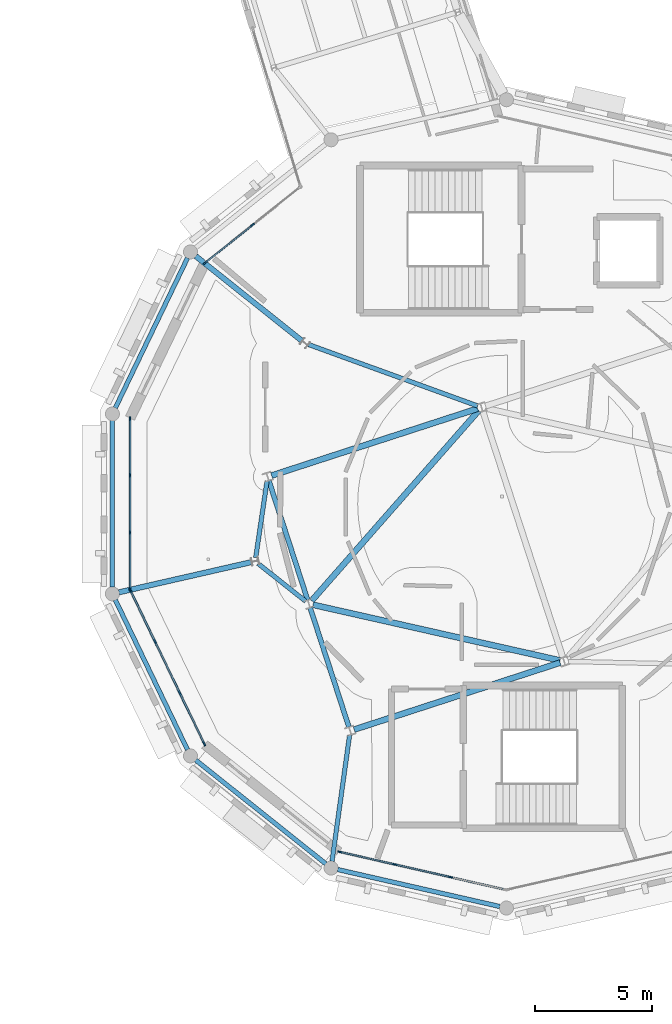
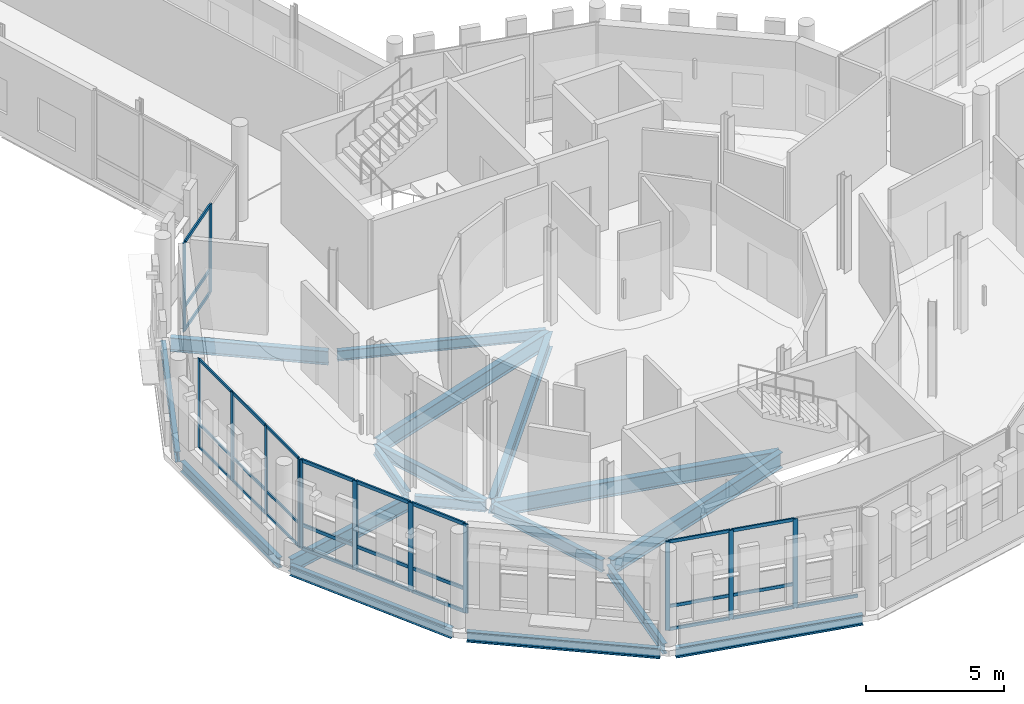
# One storey, part 27 of 125: 41 members, 17 beams, 4 elements without a shape of their own.
"""IFC4 building model written with IfcOpenShell, lengths in metres."""

from ifc_helpers import new_model, si_unit, direction, frame, origin, origin_2d, place, context, subcontext, project, spatial, rectangle, i_section, extrude, material, material_profile, profile_set, type_object, element, aggregate, save


model = new_model("IFC4")

# Units and contexts
model_context = context("Model", 3, precision=1e-05, world=origin(), true_north=direction((0.0, 1.0)))
body_context = subcontext(model_context, "Body", "Model", "MODEL_VIEW")
ifc_project = project(units=[si_unit("LENGTHUNIT", "METRE"), si_unit("AREAUNIT", "SQUARE_METRE"), si_unit("VOLUMEUNIT", "CUBIC_METRE"), si_unit("PLANEANGLEUNIT", "RADIAN"), si_unit("MASSUNIT", "GRAM", prefix="KILO")], contexts=[model_context])

# Site, building, storey
site_placement = place(None, origin())
site = spatial("IfcSite", under=ifc_project, at=site_placement, CompositionType="ELEMENT")
building_placement = place(site_placement, origin())
building = spatial("IfcBuilding", under=site, at=building_placement, Name="Wrenclough Park School", CompositionType="ELEMENT")
storey_placement = place(building_placement, frame((0.0, 0.0, 4.199951171875)))
storey = spatial("IfcBuildingStorey", under=building, at=storey_placement, Name="L01", CompositionType="ELEMENT", Elevation=4.199951171875)

# Curtain wall, members
ifc_material_1 = material(Name="Thermally broken aluminium and low-e glass curtain wall", Category="aluminium")
curtain_wall_type_1 = type_object("IfcCurtainWallType", Name="ENV-CW-08", PredefinedType="USERDEFINED", material=ifc_material_1)
curtain_wall_1_placement = place(storey_placement, origin())
curtain_wall_1 = element("IfcCurtainWall", 1, at=curtain_wall_1_placement, inside=storey, type_object=curtain_wall_type_1, Name="L01 recessed curtain wall assembly 087", ObjectType="CURTAIN WALL", PredefinedType="USERDEFINED")
ifc_material_2 = material(Name="Thermally broken anodised aluminium", Category="aluminium")
ifc_material_profile_1 = material_profile(ifc_material_2, rectangle(XDim=0.06005859375, YDim=0.159912109375, at=origin_2d()), Name="AL MULLION 60x160")
ifc_profile_set_1 = profile_set([ifc_material_profile_1], Name="Thermally broken anodised aluminium")
member_type_1 = type_object("IfcMemberType", Name="ENV-CWM-1", PredefinedType="MULLION", material=ifc_profile_set_1)
member_1_placement = place(storey_placement, frame((20.436279296875, 19.86767578125, 0.0), z_axis=(0.0, 0.0, 1.0), x_axis=(-1.0, 0.0, 0.0)))
member_1 = element("IfcMember", 2, at=member_1_placement, type_object=member_type_1, Name="CW-08 mullion 1", PredefinedType="MULLION", context=body_context, shape_type="SweptSolid", body=[
    extrude(rectangle(XDim=0.06005859375, YDim=0.159912109375, at=origin_2d()), origin(), (0.0, 0.0, 1.0), 3.93994140625),
])
member_2_placement = place(storey_placement, frame((20.436279296875, 22.279296875, 0.0), z_axis=(0.0, 0.0, 1.0), x_axis=(-1.0, 0.0, 0.0)))
member_2 = element("IfcMember", 3, at=member_2_placement, type_object=member_type_1, Name="CW-08 mullion 2", PredefinedType="MULLION", context=body_context, shape_type="SweptSolid", body=[
    extrude(rectangle(XDim=0.06005859375, YDim=0.159912109375, at=origin_2d()), origin(), (0.0, 0.0, 1.0), 3.93994140625),
])
member_3_placement = place(storey_placement, frame((20.436279296875, 24.720947265625, 0.0), z_axis=(0.0, 0.0, 1.0), x_axis=(-1.0, 0.0, 0.0)))
member_3 = element("IfcMember", 4, at=member_3_placement, type_object=member_type_1, Name="CW-08 mullion 3", PredefinedType="MULLION", context=body_context, shape_type="SweptSolid", body=[
    extrude(rectangle(XDim=0.06005859375, YDim=0.159912109375, at=origin_2d()), origin(), (0.0, 0.0, 1.0), 3.93994140625),
])
member_4_placement = place(storey_placement, frame((20.436279296875, 27.132568359375, 0.0), z_axis=(0.0, 0.0, 1.0), x_axis=(-1.0, 0.0, 0.0)))
member_4 = element("IfcMember", 5, at=member_4_placement, type_object=member_type_1, Name="CW-08 mullion 4", PredefinedType="MULLION", context=body_context, shape_type="SweptSolid", body=[
    extrude(rectangle(XDim=0.06005859375, YDim=0.159912109375, at=origin_2d()), origin(), (0.0, 0.0, 1.0), 3.93994140625),
])

curtain_wall_type_2 = type_object("IfcCurtainWallType", Name="ENV-CW-06", PredefinedType="USERDEFINED", material=ifc_material_1)
curtain_wall_2_placement = place(storey_placement, origin())
curtain_wall_2 = element("IfcCurtainWall", 6, at=curtain_wall_2_placement, inside=storey, type_object=curtain_wall_type_2, Name="L01 recessed curtain wall assembly 085", ObjectType="CURTAIN WALL", PredefinedType="USERDEFINED")
ifc_material_profile_2 = material_profile(ifc_material_2, rectangle(XDim=0.06494140625, YDim=0.179931640625, at=origin_2d()), Name="AL MULLION 65x180")
ifc_profile_set_2 = profile_set([ifc_material_profile_2], Name="Thermally broken anodised aluminium")
member_type_2 = type_object("IfcMemberType", Name="ENV-CWM-2", PredefinedType="MULLION", material=ifc_profile_set_2)
member_5_placement = place(storey_placement, frame((34.11572265625, 7.5673828125, 0.0), z_axis=(0.0, 0.0, 1.0), x_axis=(-0.222510819536, -0.974930220677, 0.0)))
member_5 = element("IfcMember", 7, at=member_5_placement, type_object=member_type_2, Name="CW-06 mullion 2", PredefinedType="MULLION", context=body_context, shape_type="SweptSolid", body=[
    extrude(rectangle(XDim=0.06494140625, YDim=0.179931640625, at=origin_2d()), origin(), (0.0, 0.0, 1.0), 3.93994140625),
])
member_6_placement = place(storey_placement, frame((31.735107421875, 8.110595703125, 0.0), z_axis=(0.0, 0.0, 1.0), x_axis=(-0.222510819536, -0.974930220677, 0.0)))
member_6 = element("IfcMember", 8, at=member_6_placement, type_object=member_type_2, Name="CW-06 mullion 3", PredefinedType="MULLION", context=body_context, shape_type="SweptSolid", body=[
    extrude(rectangle(XDim=0.06494140625, YDim=0.179931640625, at=origin_2d()), origin(), (0.0, 0.0, 1.0), 3.93994140625),
])
member_7_placement = place(storey_placement, frame((29.386474609375, 8.646728515625, 0.0), z_axis=(0.0, 0.0, 1.0), x_axis=(-0.222510819536, -0.974930220677, 0.0)))
member_7 = element("IfcMember", 9, at=member_7_placement, type_object=member_type_2, Name="CW-06 mullion 4", PredefinedType="MULLION", context=body_context, shape_type="SweptSolid", body=[
    extrude(rectangle(XDim=0.06494140625, YDim=0.179931640625, at=origin_2d()), origin(), (0.0, 0.0, 1.0), 3.93994140625),
])

curtain_wall_type_3 = type_object("IfcCurtainWallType", Name="ENV-CW-09", PredefinedType="USERDEFINED", material=ifc_material_1)
curtain_wall_3_placement = place(storey_placement, origin())
curtain_wall_3 = element("IfcCurtainWall", 10, at=curtain_wall_3_placement, inside=storey, type_object=curtain_wall_type_3, Name="L01 recessed curtain wall assembly 088", ObjectType="CURTAIN WALL", PredefinedType="USERDEFINED")
member_8_placement = place(storey_placement, frame((23.646484375, 33.796142578125, 0.0), z_axis=(0.0, 0.0, 1.0), x_axis=(-0.623468469558, 0.781848493934, 0.0)))
member_8 = element("IfcMember", 11, at=member_8_placement, type_object=member_type_2, Name="CW-09 mullion 1", PredefinedType="MULLION", context=body_context, shape_type="SweptSolid", body=[
    extrude(rectangle(XDim=0.06494140625, YDim=0.179931640625, at=origin_2d()), origin(), (0.0, 0.0, 1.0), 3.93994140625),
])
member_9_placement = place(storey_placement, frame((25.666748046875, 35.406982421875, 0.0), z_axis=(0.0, 0.0, 1.0), x_axis=(-0.623468469558, 0.781848493934, 0.0)))
member_9 = element("IfcMember", 12, at=member_9_placement, type_object=member_type_2, Name="CW-09 mullion 2", PredefinedType="MULLION", context=body_context, shape_type="SweptSolid", body=[
    extrude(rectangle(XDim=0.06494140625, YDim=0.179931640625, at=origin_2d()), origin(), (0.0, 0.0, 1.0), 3.93994140625),
])

curtain_wall_type_4 = type_object("IfcCurtainWallType", Name="ENV-CW-07", PredefinedType="USERDEFINED", material=ifc_material_1)
curtain_wall_4_placement = place(storey_placement, origin())
curtain_wall_4 = element("IfcCurtainWall", 13, at=curtain_wall_4_placement, inside=storey, type_object=curtain_wall_type_4, Name="L01 recessed curtain wall assembly 086", ObjectType="CURTAIN WALL", PredefinedType="USERDEFINED")
ifc_material_profile_3 = material_profile(ifc_material_2, rectangle(XDim=0.070068359375, YDim=0.199951171875, at=origin_2d()), Name="AL MULLION 70x200")
ifc_profile_set_3 = profile_set([ifc_material_profile_3], Name="Thermally broken anodised aluminium")
member_type_3 = type_object("IfcMemberType", Name="ENV-CWM-3", PredefinedType="MULLION", material=ifc_profile_set_3)
member_10_placement = place(storey_placement, frame((23.60107421875, 13.261962890625, 0.0), z_axis=(0.0, 0.0, 1.0), x_axis=(-0.900963523358, -0.433894837004, 0.0)))
member_10 = element("IfcMember", 14, at=member_10_placement, type_object=member_type_3, Name="CW-07 mullion 1", PredefinedType="MULLION", context=body_context, shape_type="SweptSolid", body=[
    extrude(rectangle(XDim=0.070068359375, YDim=0.199951171875, at=origin_2d()), origin(), (0.0, 0.0, 1.0), 3.93994140625),
])
member_11_placement = place(storey_placement, frame((22.556884765625, 15.43017578125, 0.0), z_axis=(0.0, 0.0, 1.0), x_axis=(-0.900963523358, -0.433894837004, 0.0)))
member_11 = element("IfcMember", 15, at=member_11_placement, type_object=member_type_3, Name="CW-07 mullion 2", PredefinedType="MULLION", context=body_context, shape_type="SweptSolid", body=[
    extrude(rectangle(XDim=0.070068359375, YDim=0.199951171875, at=origin_2d()), origin(), (0.0, 0.0, 1.0), 3.93994140625),
])
member_12_placement = place(storey_placement, frame((21.497314453125, 17.630126953125, 0.0), z_axis=(0.0, 0.0, 1.0), x_axis=(-0.900963523358, -0.433894837004, 0.0)))
member_12 = element("IfcMember", 16, at=member_12_placement, type_object=member_type_3, Name="CW-07 mullion 3", PredefinedType="MULLION", context=body_context, shape_type="SweptSolid", body=[
    extrude(rectangle(XDim=0.070068359375, YDim=0.199951171875, at=origin_2d()), origin(), (0.0, 0.0, 1.0), 3.93994140625),
])
member_13_placement = place(storey_placement, frame((20.453125, 19.798583984375, 0.0), z_axis=(0.0, 0.0, 1.0), x_axis=(-0.900963523358, -0.433894837004, 0.0)))
member_13 = element("IfcMember", 17, at=member_13_placement, type_object=member_type_3, Name="CW-07 mullion 4", PredefinedType="MULLION", context=body_context, shape_type="SweptSolid", body=[
    extrude(rectangle(XDim=0.070068359375, YDim=0.199951171875, at=origin_2d()), origin(), (0.0, 0.0, 1.0), 3.93994140625),
])

# Member
ifc_material_profile_4 = material_profile(ifc_material_2, rectangle(XDim=0.06005859375, YDim=0.1201171875, at=origin_2d()), Name="AL TRANSOM 60x120")
ifc_profile_set_4 = profile_set([ifc_material_profile_4], Name="Thermally broken anodised aluminium")
member_type_4 = type_object("IfcMemberType", Name="ENV-CWT-1", PredefinedType="USERDEFINED", material=ifc_profile_set_4)
member_14_placement = place(storey_placement, frame((20.436279296875, 19.897705078125, 0.030029296875), z_axis=(0.0, 1.0, 0.0), x_axis=(-1.0, 0.0, 0.0)))
member_14 = element("IfcMember", 18, at=member_14_placement, type_object=member_type_4, Name="CW-08 transom 1.1", ObjectType="TRANSOM", PredefinedType="USERDEFINED", context=body_context, shape_type="SweptSolid", body=[
    extrude(rectangle(XDim=0.06005859375, YDim=0.1201171875, at=origin_2d()), origin(), (0.0, 0.0, 1.0), 2.3515625),
])

member_15_placement = place(storey_placement, frame((20.436279296875, 19.897705078125, 1.050048828125), z_axis=(0.0, 1.0, 0.0), x_axis=(-1.0, 0.0, 0.0)))
member_15 = element("IfcMember", 19, at=member_15_placement, type_object=member_type_4, Name="CW-08 transom 1.2", ObjectType="TRANSOM", PredefinedType="USERDEFINED", context=body_context, shape_type="SweptSolid", body=[
    extrude(rectangle(XDim=0.06005859375, YDim=0.1201171875, at=origin_2d()), origin(), (0.0, 0.0, 1.0), 2.3515625),
])

member_16_placement = place(storey_placement, frame((20.436279296875, 19.897705078125, 3.91015625), z_axis=(0.0, 1.0, 0.0), x_axis=(-1.0, 0.0, 0.0)))
member_16 = element("IfcMember", 20, at=member_16_placement, type_object=member_type_4, Name="CW-08 transom 1.3", ObjectType="TRANSOM", PredefinedType="USERDEFINED", context=body_context, shape_type="SweptSolid", body=[
    extrude(rectangle(XDim=0.06005859375, YDim=0.1201171875, at=origin_2d()), origin(), (0.0, 0.0, 1.0), 2.3515625),
])

member_17_placement = place(storey_placement, frame((20.436279296875, 22.309326171875, 0.030029296875), z_axis=(0.0, 1.0, 0.0), x_axis=(-1.0, 0.0, 0.0)))
member_17 = element("IfcMember", 21, at=member_17_placement, type_object=member_type_4, Name="CW-08 transom 2.1", ObjectType="TRANSOM", PredefinedType="USERDEFINED", context=body_context, shape_type="SweptSolid", body=[
    extrude(rectangle(XDim=0.06005859375, YDim=0.1201171875, at=origin_2d()), origin(), (0.0, 0.0, 1.0), 2.381591796875),
])

member_18_placement = place(storey_placement, frame((20.436279296875, 22.309326171875, 1.050048828125), z_axis=(0.0, 1.0, 0.0), x_axis=(-1.0, 0.0, 0.0)))
member_18 = element("IfcMember", 22, at=member_18_placement, type_object=member_type_4, Name="CW-08 transom 2.2", ObjectType="TRANSOM", PredefinedType="USERDEFINED", context=body_context, shape_type="SweptSolid", body=[
    extrude(rectangle(XDim=0.06005859375, YDim=0.1201171875, at=origin_2d()), origin(), (0.0, 0.0, 1.0), 2.381591796875),
])

member_19_placement = place(storey_placement, frame((20.436279296875, 22.309326171875, 3.91015625), z_axis=(0.0, 1.0, 0.0), x_axis=(-1.0, 0.0, 0.0)))
member_19 = element("IfcMember", 23, at=member_19_placement, type_object=member_type_4, Name="CW-08 transom 2.3", ObjectType="TRANSOM", PredefinedType="USERDEFINED", context=body_context, shape_type="SweptSolid", body=[
    extrude(rectangle(XDim=0.06005859375, YDim=0.1201171875, at=origin_2d()), origin(), (0.0, 0.0, 1.0), 2.381591796875),
])

member_20_placement = place(storey_placement, frame((20.436279296875, 24.7509765625, 0.030029296875), z_axis=(0.0, 1.0, 0.0), x_axis=(-1.0, 0.0, 0.0)))
member_20 = element("IfcMember", 24, at=member_20_placement, type_object=member_type_4, Name="CW-08 transom 3.1", ObjectType="TRANSOM", PredefinedType="USERDEFINED", context=body_context, shape_type="SweptSolid", body=[
    extrude(rectangle(XDim=0.06005859375, YDim=0.1201171875, at=origin_2d()), origin(), (0.0, 0.0, 1.0), 2.3515625),
])

member_21_placement = place(storey_placement, frame((20.436279296875, 24.7509765625, 1.050048828125), z_axis=(0.0, 1.0, 0.0), x_axis=(-1.0, 0.0, 0.0)))
member_21 = element("IfcMember", 25, at=member_21_placement, type_object=member_type_4, Name="CW-08 transom 3.2", ObjectType="TRANSOM", PredefinedType="USERDEFINED", context=body_context, shape_type="SweptSolid", body=[
    extrude(rectangle(XDim=0.06005859375, YDim=0.1201171875, at=origin_2d()), origin(), (0.0, 0.0, 1.0), 2.3515625),
])

member_22_placement = place(storey_placement, frame((20.436279296875, 24.7509765625, 3.91015625), z_axis=(0.0, 1.0, 0.0), x_axis=(-1.0, 0.0, 0.0)))
member_22 = element("IfcMember", 26, at=member_22_placement, type_object=member_type_4, Name="CW-08 transom 3.3", ObjectType="TRANSOM", PredefinedType="USERDEFINED", context=body_context, shape_type="SweptSolid", body=[
    extrude(rectangle(XDim=0.06005859375, YDim=0.1201171875, at=origin_2d()), origin(), (0.0, 0.0, 1.0), 2.3515625),
])

aggregate(curtain_wall_1, [member_1, member_2, member_3, member_4, member_14, member_15, member_16, member_17, member_18, member_19, member_20, member_21, member_22])

ifc_material_profile_5 = material_profile(ifc_material_2, rectangle(XDim=0.06494140625, YDim=0.139892578125, at=origin_2d()), Name="AL TRANSOM 65x140")
ifc_profile_set_5 = profile_set([ifc_material_profile_5], Name="Thermally broken anodised aluminium")
member_type_5 = type_object("IfcMemberType", Name="ENV-CWT-2", PredefinedType="USERDEFINED", material=ifc_profile_set_5)
member_23_placement = place(storey_placement, frame((36.4326171875, 7.03857421875, 0.032470703125), z_axis=(-0.974941177023, 0.222462808901, 0.0), x_axis=(-0.222462808901, -0.974941177023, 0.0)))
member_23 = element("IfcMember", 27, at=member_23_placement, type_object=member_type_5, Name="CW-06 transom 1.1", ObjectType="TRANSOM", PredefinedType="USERDEFINED", context=body_context, shape_type="SweptSolid", body=[
    extrude(rectangle(XDim=0.06494140625, YDim=0.139892578125, at=origin_2d()), origin(), (0.0, 0.0, 1.0), 2.34423828125),
])

member_24_placement = place(storey_placement, frame((34.083984375, 7.574462890625, 0.032470703125), z_axis=(-0.974933679475, 0.222495664286, 0.0), x_axis=(-0.222495664286, -0.974933679475, 0.0)))
member_24 = element("IfcMember", 28, at=member_24_placement, type_object=member_type_5, Name="CW-06 transom 2.1", ObjectType="TRANSOM", PredefinedType="USERDEFINED", context=body_context, shape_type="SweptSolid", body=[
    extrude(rectangle(XDim=0.06494140625, YDim=0.139892578125, at=origin_2d()), origin(), (0.0, 0.0, 1.0), 2.376708984375),
])

member_25_placement = place(storey_placement, frame((34.083984375, 7.574462890625, 1.050048828125), z_axis=(-0.974933679475, 0.222495664286, 0.0), x_axis=(-0.222495664286, -0.974933679475, 0.0)))
member_25 = element("IfcMember", 29, at=member_25_placement, type_object=member_type_5, Name="CW-06 transom 2.2", ObjectType="TRANSOM", PredefinedType="USERDEFINED", context=body_context, shape_type="SweptSolid", body=[
    extrude(rectangle(XDim=0.06494140625, YDim=0.139892578125, at=origin_2d()), origin(), (0.0, 0.0, 1.0), 2.376708984375),
])

member_26_placement = place(storey_placement, frame((34.083984375, 7.574462890625, 3.907470703125), z_axis=(-0.974933679475, 0.222495664286, 0.0), x_axis=(-0.222495664286, -0.974933679475, 0.0)))
member_26 = element("IfcMember", 30, at=member_26_placement, type_object=member_type_5, Name="CW-06 transom 2.3", ObjectType="TRANSOM", PredefinedType="USERDEFINED", context=body_context, shape_type="SweptSolid", body=[
    extrude(rectangle(XDim=0.06494140625, YDim=0.139892578125, at=origin_2d()), origin(), (0.0, 0.0, 1.0), 2.376708984375),
])

member_27_placement = place(storey_placement, frame((31.703369140625, 8.117919921875, 0.032470703125), z_axis=(-0.974941177023, 0.222462808901, 0.0), x_axis=(-0.222462808901, -0.974941177023, 0.0)))
member_27 = element("IfcMember", 31, at=member_27_placement, type_object=member_type_5, Name="CW-06 transom 3.1", ObjectType="TRANSOM", PredefinedType="USERDEFINED", context=body_context, shape_type="SweptSolid", body=[
    extrude(rectangle(XDim=0.06494140625, YDim=0.139892578125, at=origin_2d()), origin(), (0.0, 0.0, 1.0), 2.34423828125),
])

member_28_placement = place(storey_placement, frame((31.703369140625, 8.117919921875, 1.050048828125), z_axis=(-0.974941177023, 0.222462808901, 0.0), x_axis=(-0.222462808901, -0.974941177023, 0.0)))
member_28 = element("IfcMember", 32, at=member_28_placement, type_object=member_type_5, Name="CW-06 transom 3.2", ObjectType="TRANSOM", PredefinedType="USERDEFINED", context=body_context, shape_type="SweptSolid", body=[
    extrude(rectangle(XDim=0.06494140625, YDim=0.139892578125, at=origin_2d()), origin(), (0.0, 0.0, 1.0), 2.34423828125),
])

member_29_placement = place(storey_placement, frame((31.703369140625, 8.117919921875, 3.907470703125), z_axis=(-0.974941177023, 0.222462808901, 0.0), x_axis=(-0.222462808901, -0.974941177023, 0.0)))
member_29 = element("IfcMember", 33, at=member_29_placement, type_object=member_type_5, Name="CW-06 transom 3.3", ObjectType="TRANSOM", PredefinedType="USERDEFINED", context=body_context, shape_type="SweptSolid", body=[
    extrude(rectangle(XDim=0.06494140625, YDim=0.139892578125, at=origin_2d()), origin(), (0.0, 0.0, 1.0), 2.34423828125),
])

aggregate(curtain_wall_2, [member_5, member_6, member_7, member_23, member_24, member_25, member_26, member_27, member_28, member_29])

member_30_placement = place(storey_placement, frame((23.671875, 33.81640625, 0.032470703125), z_axis=(0.78188901804, 0.623417647704, 0.0), x_axis=(-0.623417647704, 0.78188901804, 0.0)))
member_30 = element("IfcMember", 34, at=member_30_placement, type_object=member_type_5, Name="CW-09 transom 1.1", ObjectType="TRANSOM", PredefinedType="USERDEFINED", context=body_context, shape_type="SweptSolid", body=[
    extrude(rectangle(XDim=0.06494140625, YDim=0.139892578125, at=origin_2d()), origin(), (0.0, 0.0, 1.0), 2.518798828125),
])

member_31_placement = place(storey_placement, frame((23.671875, 33.81640625, 1.050048828125), z_axis=(0.78188901804, 0.623417647704, 0.0), x_axis=(-0.623417647704, 0.78188901804, 0.0)))
member_31 = element("IfcMember", 35, at=member_31_placement, type_object=member_type_5, Name="CW-09 transom 1.2", ObjectType="TRANSOM", PredefinedType="USERDEFINED", context=body_context, shape_type="SweptSolid", body=[
    extrude(rectangle(XDim=0.06494140625, YDim=0.139892578125, at=origin_2d()), origin(), (0.0, 0.0, 1.0), 2.518798828125),
])

member_32_placement = place(storey_placement, frame((23.671875, 33.81640625, 3.907470703125), z_axis=(0.78188901804, 0.623417647704, 0.0), x_axis=(-0.623417647704, 0.78188901804, 0.0)))
member_32 = element("IfcMember", 36, at=member_32_placement, type_object=member_type_5, Name="CW-09 transom 1.3", ObjectType="TRANSOM", PredefinedType="USERDEFINED", context=body_context, shape_type="SweptSolid", body=[
    extrude(rectangle(XDim=0.06494140625, YDim=0.139892578125, at=origin_2d()), origin(), (0.0, 0.0, 1.0), 2.518798828125),
])

aggregate(curtain_wall_3, [member_8, member_9, member_30, member_31, member_32])

ifc_material_profile_6 = material_profile(ifc_material_2, rectangle(XDim=0.070068359375, YDim=0.14990234375, at=origin_2d()), Name="AL TRANSOM 70x150")
ifc_profile_set_6 = profile_set([ifc_material_profile_6], Name="Thermally broken anodised aluminium")
member_type_6 = type_object("IfcMemberType", Name="ENV-CWT-3", PredefinedType="USERDEFINED", material=ifc_profile_set_6)
member_33_placement = place(storey_placement, frame((23.5859375, 13.29345703125, 0.03515625), z_axis=(-0.433916142739, 0.900953262423, 0.0), x_axis=(-0.900953262423, -0.433916142739, 0.0)))
member_33 = element("IfcMember", 37, at=member_33_placement, type_object=member_type_6, Name="CW-07 transom 1.1", ObjectType="TRANSOM", PredefinedType="USERDEFINED", context=body_context, shape_type="SweptSolid", body=[
    extrude(rectangle(XDim=0.070068359375, YDim=0.14990234375, at=origin_2d()), origin(), (0.0, 0.0, 1.0), 2.336669921875),
])

member_34_placement = place(storey_placement, frame((23.5859375, 13.29345703125, 1.050048828125), z_axis=(-0.433916142739, 0.900953262423, 0.0), x_axis=(-0.900953262423, -0.433916142739, 0.0)))
member_34 = element("IfcMember", 38, at=member_34_placement, type_object=member_type_6, Name="CW-07 transom 1.2", ObjectType="TRANSOM", PredefinedType="USERDEFINED", context=body_context, shape_type="SweptSolid", body=[
    extrude(rectangle(XDim=0.070068359375, YDim=0.14990234375, at=origin_2d()), origin(), (0.0, 0.0, 1.0), 2.336669921875),
])

member_35_placement = place(storey_placement, frame((23.5859375, 13.29345703125, 3.905029296875), z_axis=(-0.433916142739, 0.900953262423, 0.0), x_axis=(-0.900953262423, -0.433916142739, 0.0)))
member_35 = element("IfcMember", 39, at=member_35_placement, type_object=member_type_6, Name="CW-07 transom 1.3", ObjectType="TRANSOM", PredefinedType="USERDEFINED", context=body_context, shape_type="SweptSolid", body=[
    extrude(rectangle(XDim=0.070068359375, YDim=0.14990234375, at=origin_2d()), origin(), (0.0, 0.0, 1.0), 2.336669921875),
])

member_36_placement = place(storey_placement, frame((22.54150390625, 15.4619140625, 0.03515625), z_axis=(-0.433905376627, 0.900958447507, 0.0), x_axis=(-0.900958447507, -0.433905376627, 0.0)))
member_36 = element("IfcMember", 40, at=member_36_placement, type_object=member_type_6, Name="CW-07 transom 2.1", ObjectType="TRANSOM", PredefinedType="USERDEFINED", context=body_context, shape_type="SweptSolid", body=[
    extrude(rectangle(XDim=0.070068359375, YDim=0.14990234375, at=origin_2d()), origin(), (0.0, 0.0, 1.0), 2.37158203125),
])

member_37_placement = place(storey_placement, frame((22.54150390625, 15.4619140625, 1.050048828125), z_axis=(-0.433905376627, 0.900958447507, 0.0), x_axis=(-0.900958447507, -0.433905376627, 0.0)))
member_37 = element("IfcMember", 41, at=member_37_placement, type_object=member_type_6, Name="CW-07 transom 2.2", ObjectType="TRANSOM", PredefinedType="USERDEFINED", context=body_context, shape_type="SweptSolid", body=[
    extrude(rectangle(XDim=0.070068359375, YDim=0.14990234375, at=origin_2d()), origin(), (0.0, 0.0, 1.0), 2.37158203125),
])

member_38_placement = place(storey_placement, frame((22.54150390625, 15.4619140625, 3.905029296875), z_axis=(-0.433905376627, 0.900958447507, 0.0), x_axis=(-0.900958447507, -0.433905376627, 0.0)))
member_38 = element("IfcMember", 42, at=member_38_placement, type_object=member_type_6, Name="CW-07 transom 2.3", ObjectType="TRANSOM", PredefinedType="USERDEFINED", context=body_context, shape_type="SweptSolid", body=[
    extrude(rectangle(XDim=0.070068359375, YDim=0.14990234375, at=origin_2d()), origin(), (0.0, 0.0, 1.0), 2.37158203125),
])

member_39_placement = place(storey_placement, frame((21.482177734375, 17.66162109375, 0.03515625), z_axis=(-0.433916142739, 0.900953262423, 0.0), x_axis=(-0.900953262423, -0.433916142739, 0.0)))
member_39 = element("IfcMember", 43, at=member_39_placement, type_object=member_type_6, Name="CW-07 transom 3.1", ObjectType="TRANSOM", PredefinedType="USERDEFINED", context=body_context, shape_type="SweptSolid", body=[
    extrude(rectangle(XDim=0.070068359375, YDim=0.14990234375, at=origin_2d()), origin(), (0.0, 0.0, 1.0), 2.336669921875),
])

member_40_placement = place(storey_placement, frame((21.482177734375, 17.66162109375, 1.050048828125), z_axis=(-0.433916142739, 0.900953262423, 0.0), x_axis=(-0.900953262423, -0.433916142739, 0.0)))
member_40 = element("IfcMember", 44, at=member_40_placement, type_object=member_type_6, Name="CW-07 transom 3.2", ObjectType="TRANSOM", PredefinedType="USERDEFINED", context=body_context, shape_type="SweptSolid", body=[
    extrude(rectangle(XDim=0.070068359375, YDim=0.14990234375, at=origin_2d()), origin(), (0.0, 0.0, 1.0), 2.336669921875),
])

member_41_placement = place(storey_placement, frame((21.482177734375, 17.66162109375, 3.905029296875), z_axis=(-0.433916142739, 0.900953262423, 0.0), x_axis=(-0.900953262423, -0.433916142739, 0.0)))
member_41 = element("IfcMember", 45, at=member_41_placement, type_object=member_type_6, Name="CW-07 transom 3.3", ObjectType="TRANSOM", PredefinedType="USERDEFINED", context=body_context, shape_type="SweptSolid", body=[
    extrude(rectangle(XDim=0.070068359375, YDim=0.14990234375, at=origin_2d()), origin(), (0.0, 0.0, 1.0), 2.336669921875),
])

aggregate(curtain_wall_4, [member_10, member_11, member_12, member_13, member_33, member_34, member_35, member_36, member_37, member_38, member_39, member_40, member_41])

# Beams
ifc_material_3 = material(Name="Structural steel S355", Category="steel")
ifc_material_profile_7 = material_profile(ifc_material_3, i_section(OverallWidth=0.18994140625, OverallDepth=0.453369140625, WebThickness=0.008544921875, FlangeThickness=0.0126953125, FilletRadius=0.01025390625, at=origin_2d()), Name="UKB 457x191x67")
ifc_profile_set_7 = profile_set([ifc_material_profile_7], Name="Structural steel S355")
beam_type_1 = type_object("IfcBeamType", Name="STR-BM-UKB457A", PredefinedType="BEAM", material=ifc_profile_set_7)
beam_1_placement = place(storey_placement, frame((29.806640625, 13.63525390625, -0.4765625), z_axis=(-0.137992447638, -0.990433281143, 0.0), x_axis=(0.990433281143, -0.137992447638, 0.0)))
element("IfcBeam", 46, at=beam_1_placement, inside=storey, type_object=beam_type_1, Name="Primary frame continuity tie beam 0043", PredefinedType="BEAM", context=body_context, shape_type="SweptSolid", body=[
    extrude(i_section(OverallWidth=0.18994140625, OverallDepth=0.453369140625, WebThickness=0.008544921875, FlangeThickness=0.0126953125, FilletRadius=0.01025390625, at=origin_2d()), origin(), (0.0, 0.0, 1.0), 5.44384765625),
])
beam_2_placement = place(storey_placement, frame((27.9296875, 19.344482421875, -0.4765625), z_axis=(-0.783581482028, 0.62128903179, 0.0), x_axis=(-0.62128903179, -0.783581482028, 0.0)))
element("IfcBeam", 47, at=beam_2_placement, inside=storey, type_object=beam_type_1, Name="Primary frame continuity tie beam 0045", PredefinedType="BEAM", context=body_context, shape_type="SweptSolid", body=[
    extrude(i_section(OverallWidth=0.18994140625, OverallDepth=0.453369140625, WebThickness=0.008544921875, FlangeThickness=0.0126953125, FilletRadius=0.01025390625, at=origin_2d()), origin(), (0.0, 0.0, 1.0), 2.592041015625),
])
beam_3_placement = place(storey_placement, frame((26.2822265625, 24.4775390625, -0.4765625), z_axis=(-0.146238154311, -0.989249413557, 0.0), x_axis=(0.989249413557, -0.146238154311, 0.0)))
element("IfcBeam", 48, at=beam_3_placement, inside=storey, type_object=beam_type_1, Name="Primary frame continuity tie beam 0049", PredefinedType="BEAM", context=body_context, shape_type="SweptSolid", body=[
    extrude(i_section(OverallWidth=0.18994140625, OverallDepth=0.453369140625, WebThickness=0.008544921875, FlangeThickness=0.0126953125, FilletRadius=0.01025390625, at=origin_2d()), origin(), (0.0, 0.0, 1.0), 3.3056640625),
])
beam_4_placement = place(storey_placement, frame((35.2705078125, 27.681884765625, -0.4765625), z_axis=(-0.939948240074, 0.341317016837, 0.0), x_axis=(-0.341317016837, -0.939948240074, 0.0)))
element("IfcBeam", 49, at=beam_4_placement, inside=storey, type_object=beam_type_1, Name="Primary frame continuity tie beam 0057", PredefinedType="BEAM", context=body_context, shape_type="SweptSolid", body=[
    extrude(i_section(OverallWidth=0.18994140625, OverallDepth=0.453369140625, WebThickness=0.008544921875, FlangeThickness=0.0126953125, FilletRadius=0.01025390625, at=origin_2d()), origin(), (0.0, 0.0, 1.0), 7.684326171875),
])
ifc_material_profile_8 = material_profile(ifc_material_3, i_section(OverallWidth=0.19140625, OverallDepth=0.4599609375, WebThickness=0.010009765625, FlangeThickness=0.01611328125, FilletRadius=0.01025390625, at=origin_2d()), Name="UKB 457x191x82")
ifc_profile_set_8 = profile_set([ifc_material_profile_8], Name="Structural steel S355")
beam_type_2 = type_object("IfcBeamType", Name="STR-BM-UKB457B", PredefinedType="SPANDREL", material=ifc_profile_set_8)
for number, where, z_axis, x_axis, name in (
    (50, (22.888427734375, 33.99560546875, -0.47998046875), (-0.433865238323, -0.900977777182, 0.0), (0.900977777182, -0.433865238323, 0.0), "D2 L01 outer ring spandrel beam 6"),
    (51, (19.6826171875, 27.050537109375, -0.47998046875), (0.0, -1.0, 0.0), (1.0, 0.0, 0.0), "D2 L01 outer ring spandrel beam 7"),
    (52, (19.8076171875, 19.402099609375, -0.47998046875), (0.433865238323, -0.900977777182, 0.0), (0.900977777182, 0.433865238323, 0.0), "D2 L01 outer ring spandrel beam 8"),
    (53, (23.238525390625, 12.565185546875, -0.47998046875), (0.781840614213, -0.623478350841, 0.0), (0.623478350841, 0.781840614213, 0.0), "D2 L01 outer ring spandrel beam 9"),
    (54, (29.29638671875, 7.894287109375, -0.47998046875), (0.974928448916, -0.222518582359, 0.0), (0.222518582359, 0.974928448916, 0.0), "D2 L01 outer ring spandrel beam 10"),
):
    element("IfcBeam", number, at=place(storey_placement, frame(where, z_axis=z_axis, x_axis=x_axis)), inside=storey, type_object=beam_type_2, Name=name, PredefinedType="SPANDREL", context=body_context, shape_type="SweptSolid", body=[
        extrude(i_section(OverallWidth=0.19140625, OverallDepth=0.4599609375, WebThickness=0.010009765625, FlangeThickness=0.01611328125, FilletRadius=0.01025390625, at=origin_2d()), origin(), (0.0, 0.0, 1.0), 7.100830078125),
    ])
ifc_material_profile_9 = material_profile(ifc_material_3, i_section(OverallWidth=0.209228515625, OverallDepth=0.533203125, WebThickness=0.010009765625, FlangeThickness=0.015625, FilletRadius=0.0126953125, at=origin_2d()), Name="UKB 533x210x92")
ifc_profile_set_9 = profile_set([ifc_material_profile_9], Name="Structural steel S355")
beam_type_3 = type_object("IfcBeamType", Name="STR-BM-UKB533A", PredefinedType="BEAM", material=ifc_profile_set_9)
for number, where, z_axis, x_axis, name in (
    (55, (29.77587890625, 13.982421875, -0.516357421875), (-0.308979634461, 0.951068654456, 0.0), (-0.951068654456, -0.308979634461, 0.0), "D2 L01 hall frame girder 0.1"),
    (56, (28.0146484375, 19.403564453125, -0.516357421875), (-0.309020970938, 0.951055224222, 0.0), (-0.951055224222, -0.309020970938, 0.0), "D2 L01 hall frame girder 1.2"),
):
    element("IfcBeam", number, at=place(storey_placement, frame(where, z_axis=z_axis, x_axis=x_axis)), inside=storey, type_object=beam_type_3, Name=name, PredefinedType="BEAM", context=body_context, shape_type="SweptSolid", body=[
        extrude(i_section(OverallWidth=0.209228515625, OverallDepth=0.533203125, WebThickness=0.010009765625, FlangeThickness=0.015625, FilletRadius=0.0126953125, at=origin_2d()), origin(), (0.0, 0.0, 1.0), 5.34228515625),
    ])
ifc_material_profile_10 = material_profile(ifc_material_3, i_section(OverallWidth=0.22900390625, OverallDepth=0.6123046875, WebThickness=0.011962890625, FlangeThickness=0.01953125, FilletRadius=0.0126953125, at=origin_2d()), Name="UKB 610x229x125")
ifc_profile_set_10 = profile_set([ifc_material_profile_10], Name="Structural steel S355")
beam_type_4 = type_object("IfcBeamType", Name="STR-BM-UKB610", PredefinedType="BEAM", material=ifc_profile_set_10)
for number, where, z_axis, x_axis, name in (
    (57, (23.238525390625, 34.07568359375, -0.55615234375), (0.781832103636, -0.623489022938, 0.0), (0.623489022938, 0.781832103636, 0.0), "D2 L01 radial girder 6"),
    (58, (19.96337890625, 19.7255859375, -0.55615234375), (0.974927109083, 0.222524452533, 0.0), (-0.222524452533, 0.974927109083, 0.0), "D2 L01 radial girder 8"),
):
    element("IfcBeam", number, at=place(storey_placement, frame(where, z_axis=z_axis, x_axis=x_axis)), inside=storey, type_object=beam_type_4, Name=name, PredefinedType="BEAM", context=body_context, shape_type="SweptSolid", body=[
        extrude(i_section(OverallWidth=0.22900390625, OverallDepth=0.6123046875, WebThickness=0.011962890625, FlangeThickness=0.01953125, FilletRadius=0.0126953125, at=origin_2d()), origin(), (0.0, 0.0, 1.0), 5.804931640625),
    ])
ifc_material_profile_11 = material_profile(ifc_material_3, i_section(OverallWidth=0.253662109375, OverallDepth=0.68359375, WebThickness=0.012451171875, FlangeThickness=0.01904296875, FilletRadius=0.01513671875, at=origin_2d()), Name="UKB 686x254x140")
ifc_profile_set_11 = profile_set([ifc_material_profile_11], Name="Structural steel S355")
beam_type_5 = type_object("IfcBeamType", Name="STR-BM-UKB686", PredefinedType="BEAM", material=ifc_profile_set_11)
beam_5_placement = place(storey_placement, frame((30.00146484375, 13.86767578125, -0.591796875), z_axis=(0.951057167055, 0.309014991534, 0.0), x_axis=(-0.309014991534, 0.951057167055, 0.0)))
element("IfcBeam", 59, at=beam_5_placement, inside=storey, type_object=beam_type_5, Name="D2 L01 hall frame girder 0.3", PredefinedType="BEAM", context=body_context, shape_type="SweptSolid", body=[
    extrude(i_section(OverallWidth=0.253662109375, OverallDepth=0.68359375, WebThickness=0.012451171875, FlangeThickness=0.01904296875, FilletRadius=0.01513671875, at=origin_2d()), origin(), (0.0, 0.0, 1.0), 9.2421875),
])
beam_6_placement = place(storey_placement, frame((28.244384765625, 19.194091796875, -0.591796875), z_axis=(0.975536888871, -0.219835798842, 0.0), x_axis=(0.219835798842, 0.975536888871, 0.0)))
element("IfcBeam", 60, at=beam_6_placement, inside=storey, type_object=beam_type_5, Name="D2 L01 hall frame girder 1.3", PredefinedType="BEAM", context=body_context, shape_type="SweptSolid", body=[
    extrude(i_section(OverallWidth=0.253662109375, OverallDepth=0.68359375, WebThickness=0.012451171875, FlangeThickness=0.01904296875, FilletRadius=0.01513671875, at=origin_2d()), origin(), (0.0, 0.0, 1.0), 10.806884765625),
])
beam_7_placement = place(storey_placement, frame((28.18798828125, 19.367919921875, -0.591796875), z_axis=(0.660009919684, 0.751256884107, 0.0), x_axis=(-0.751256884107, 0.660009919684, 0.0)))
element("IfcBeam", 61, at=beam_7_placement, inside=storey, type_object=beam_type_5, Name="D2 L01 hall frame girder 1.4", PredefinedType="BEAM", context=body_context, shape_type="SweptSolid", body=[
    extrude(i_section(OverallWidth=0.253662109375, OverallDepth=0.68359375, WebThickness=0.012451171875, FlangeThickness=0.01904296875, FilletRadius=0.01513671875, at=origin_2d()), origin(), (0.0, 0.0, 1.0), 10.806640625),
])
beam_8_placement = place(storey_placement, frame((26.478515625, 24.709716796875, -0.591796875), z_axis=(0.951059689436, 0.309007228281, 0.0), x_axis=(-0.309007228281, 0.951059689436, 0.0)))
element("IfcBeam", 62, at=beam_8_placement, inside=storey, type_object=beam_type_5, Name="D2 L01 hall frame girder 2.4", PredefinedType="BEAM", context=body_context, shape_type="SweptSolid", body=[
    extrude(i_section(OverallWidth=0.253662109375, OverallDepth=0.68359375, WebThickness=0.012451171875, FlangeThickness=0.01904296875, FilletRadius=0.01513671875, at=origin_2d()), origin(), (0.0, 0.0, 1.0), 9.242431640625),
])

save(model, "model.ifc")
